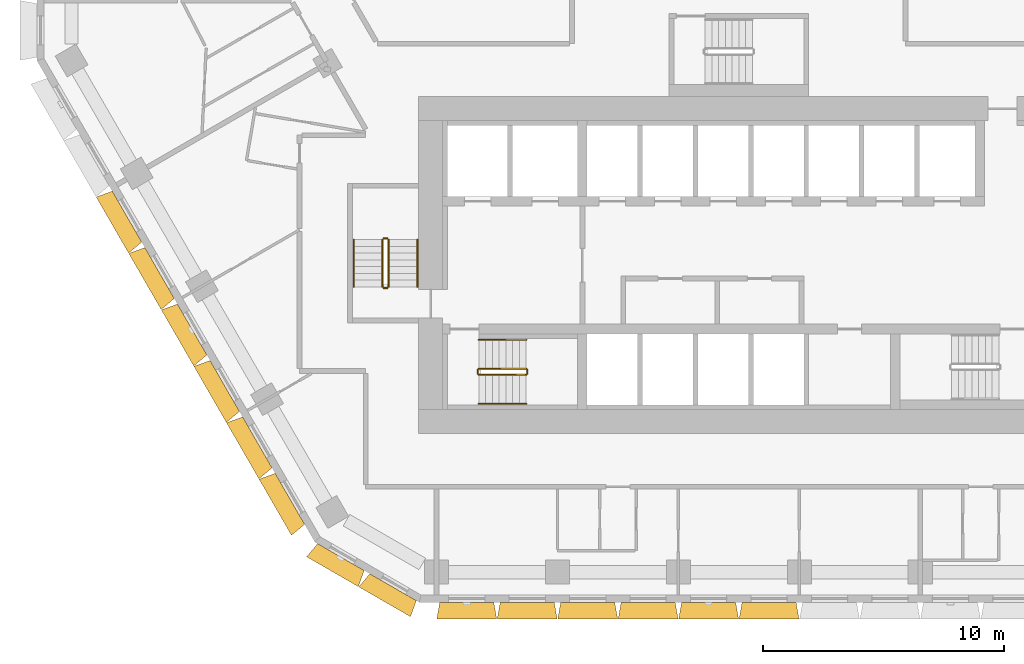
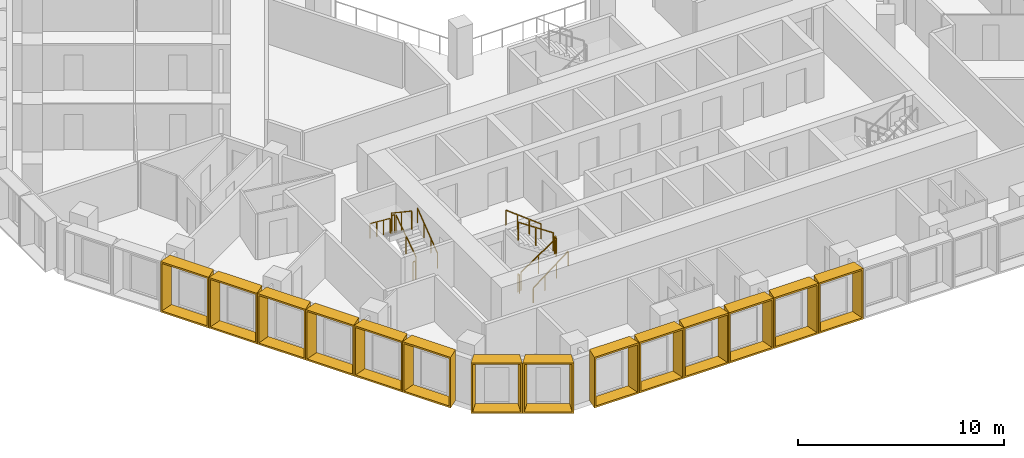
# One storey, part 15 of 18: 14 shading devices, 12 railings.
"""IFC4 building model written with IfcOpenShell, lengths in metres."""

from ifc_helpers import new_model, entity, si_unit, direction, frame, origin, origin_2d, place, context, subcontext, project, spatial, rectangle, extrude, source, transform, mapped, material, type_object, type_shapes, element, save


model = new_model("IFC4")

# Units and contexts
model_context = context("Model", 3, precision=1e-05, world=origin(), true_north=direction((0.0, 1.0)))
body_context = subcontext(model_context, "Body", "Model", "MODEL_VIEW")
ifc_project = project(units=[si_unit("LENGTHUNIT", "METRE"), si_unit("AREAUNIT", "SQUARE_METRE"), si_unit("VOLUMEUNIT", "CUBIC_METRE"), si_unit("PLANEANGLEUNIT", "RADIAN"), si_unit("MASSUNIT", "GRAM", prefix="KILO")], contexts=[model_context])

# Site, building, storey
site_placement = place(None, origin())
site = spatial("IfcSite", under=ifc_project, at=site_placement, CompositionType="ELEMENT")
building_placement = place(site_placement, origin())
building = spatial("IfcBuilding", under=site, at=building_placement, Name="Beryl Residences", CompositionType="ELEMENT")
storey_placement = place(building_placement, frame((0.0, 0.0, 99.0)))
storey = spatial("IfcBuildingStorey", under=building, at=storey_placement, Name="L30", CompositionType="ELEMENT", Elevation=99.0)

# Shading devices
ifc_material_1 = material(Name="Aluminium pale anodised", Category="aluminium")
shading_device_type_1 = type_object("IfcShadingDeviceType", Name="FR250-70A OUTER SKIN frame 700 mm deep, splay 10/10 deg, 2500 x 3000 mm cell", PredefinedType="USERDEFINED", material=ifc_material_1)
cartesian_point_1 = entity("IfcCartesianPoint", [-1.116455078125, 0.0])
cartesian_point_2 = entity("IfcCartesianPoint", [-1.03515625, 0.10009765625])
cartesian_point_3 = entity("IfcCartesianPoint", [-1.239990234375, 0.0])
cartesian_point_4 = entity("IfcCartesianPoint", [-1.15869140625, 0.10009765625])
shared_shape_1 = source(origin(), body_context, "Body", "SweptSolid", [
    entity("IfcExtrudedAreaSolidTapered", entity("IfcArbitraryProfileDefWithVoids", "AREA", None, entity("IfcPolyline", [cartesian_point_1, entity("IfcCartesianPoint", [1.116455078125, 0.0]), entity("IfcCartesianPoint", [1.116455078125, 3.0]), entity("IfcCartesianPoint", [-1.116455078125, 3.0]), cartesian_point_1]), [entity("IfcPolyline", [cartesian_point_2, entity("IfcCartesianPoint", [1.03515625, 0.10009765625]), entity("IfcCartesianPoint", [1.03515625, 2.89990234375]), entity("IfcCartesianPoint", [-1.03515625, 2.89990234375]), cartesian_point_2])]), entity("IfcAxis2Placement3D", entity("IfcCartesianPoint", [0.0, 0.0, 0.0]), entity("IfcDirection", [0.0, 1.0, 0.0]), entity("IfcDirection", [-1.0, 0.0, 0.0])), entity("IfcDirection", [0.0, 0.0, 1.0]), 0.699951171875, entity("IfcArbitraryProfileDefWithVoids", "AREA", None, entity("IfcPolyline", [cartesian_point_3, entity("IfcCartesianPoint", [1.239990234375, 0.0]), entity("IfcCartesianPoint", [1.239990234375, 3.0]), entity("IfcCartesianPoint", [-1.239990234375, 3.0]), cartesian_point_3]), [entity("IfcPolyline", [cartesian_point_4, entity("IfcCartesianPoint", [1.15869140625, 0.10009765625]), entity("IfcCartesianPoint", [1.15869140625, 2.89990234375]), entity("IfcCartesianPoint", [-1.15869140625, 2.89990234375]), cartesian_point_4])])),
])
type_shapes(shading_device_type_1, [shared_shape_1])
for number, where, z_axis, x_axis, name in (
    (1, (-16.527099609375, -24.125, 0.0), (0.0, 0.0, 1.0), (-0.866025403784, 0.5, 0.0), "FR250-70A frame L30 SW-S 1"),
    (2, (-14.361083984375, -25.375, 0.0), (0.0, 0.0, 1.0), (-0.866025403784, 0.5, 0.0), "FR250-70A frame L30 SW-S 2"),
):
    element("IfcShadingDevice", number, at=place(storey_placement, frame(where, z_axis=z_axis, x_axis=x_axis)), inside=storey, type_object=shading_device_type_1, Name=name, ObjectType="OUTER SKIN", PredefinedType="USERDEFINED", context=body_context, shape_type="MappedRepresentation", body=[
        mapped(shared_shape_1, transform((0.0, 0.0, 0.0))),
    ])
ifc_material_2 = material(Name="Aluminium pale anodised", Category="aluminium")
shading_device_type_2 = type_object("IfcShadingDeviceType", Name="FR251-70A OUTER SKIN frame 700 mm deep, splay 10/10 deg, 2510 x 3000 mm cell", PredefinedType="USERDEFINED", material=ifc_material_2)
cartesian_point_5 = entity("IfcCartesianPoint", [-1.12158203125, 0.0])
cartesian_point_6 = entity("IfcCartesianPoint", [-1.040283203125, 0.10009765625])
cartesian_point_7 = entity("IfcCartesianPoint", [-1.244873046875, 0.0])
cartesian_point_8 = entity("IfcCartesianPoint", [-1.16357421875, 0.10009765625])
shared_shape_2 = source(origin(), body_context, "Body", "SweptSolid", [
    entity("IfcExtrudedAreaSolidTapered", entity("IfcArbitraryProfileDefWithVoids", "AREA", None, entity("IfcPolyline", [cartesian_point_5, entity("IfcCartesianPoint", [1.12158203125, 0.0]), entity("IfcCartesianPoint", [1.12158203125, 3.0]), entity("IfcCartesianPoint", [-1.12158203125, 3.0]), cartesian_point_5]), [entity("IfcPolyline", [cartesian_point_6, entity("IfcCartesianPoint", [1.040283203125, 0.10009765625]), entity("IfcCartesianPoint", [1.040283203125, 2.89990234375]), entity("IfcCartesianPoint", [-1.040283203125, 2.89990234375]), cartesian_point_6])]), entity("IfcAxis2Placement3D", entity("IfcCartesianPoint", [0.0, 0.0, 0.0]), entity("IfcDirection", [0.0, 1.0, 0.0]), entity("IfcDirection", [-1.0, 0.0, 0.0])), entity("IfcDirection", [0.0, 0.0, 1.0]), 0.699951171875, entity("IfcArbitraryProfileDefWithVoids", "AREA", None, entity("IfcPolyline", [cartesian_point_7, entity("IfcCartesianPoint", [1.244873046875, 0.0]), entity("IfcCartesianPoint", [1.244873046875, 3.0]), entity("IfcCartesianPoint", [-1.244873046875, 3.0]), cartesian_point_7]), [entity("IfcPolyline", [cartesian_point_8, entity("IfcCartesianPoint", [1.16357421875, 0.10009765625]), entity("IfcCartesianPoint", [1.16357421875, 2.89990234375]), entity("IfcCartesianPoint", [-1.16357421875, 2.89990234375]), cartesian_point_8])])),
])
type_shapes(shading_device_type_2, [shared_shape_2])
for number, where, z_axis, x_axis, name in (
    (3, (-11.301025390625, -26.0, 0.0), (0.0, 0.0, 1.0), (-1.0, 0.0, 0.0), "FR251-70A frame L30 S 1"),
    (4, (-8.7900390625, -26.0, 0.0), (0.0, 0.0, 1.0), (-1.0, 0.0, 0.0), "FR251-70A frame L30 S 2"),
    (5, (-6.278076171875, -26.0, 0.0), (0.0, 0.0, 1.0), (-1.0, 0.0, 0.0), "FR251-70A frame L30 S 3"),
    (6, (-3.76708984375, -26.0, 0.0), (0.0, 0.0, 1.0), (-1.0, 0.0, 0.0), "FR251-70A frame L30 S 4"),
    (7, (-1.2548828125, -26.0, 0.0), (0.0, 0.0, 1.0), (-1.0, 0.0, 0.0), "FR251-70A frame L30 S 5"),
    (8, (1.256103515625, -26.0, 0.0), (0.0, 0.0, 1.0), (-1.0, 0.0, 0.0), "FR251-70A frame L30 S 6"),
):
    element("IfcShadingDevice", number, at=place(storey_placement, frame(where, z_axis=z_axis, x_axis=x_axis)), inside=storey, type_object=shading_device_type_2, Name=name, ObjectType="OUTER SKIN", PredefinedType="USERDEFINED", context=body_context, shape_type="MappedRepresentation", body=[
        mapped(shared_shape_2, transform((0.0, 0.0, 0.0))),
    ])
ifc_material_3 = material(Name="Aluminium pale anodised", Category="aluminium")
shading_device_type_3 = type_object("IfcShadingDeviceType", Name="FR271-70A OUTER SKIN frame 700 mm deep, splay 10/10 deg, 2710 x 3000 mm cell", PredefinedType="USERDEFINED", material=ifc_material_3)
cartesian_point_9 = entity("IfcCartesianPoint", [-1.221435546875, 0.0])
cartesian_point_10 = entity("IfcCartesianPoint", [-1.140380859375, 0.10009765625])
cartesian_point_11 = entity("IfcCartesianPoint", [-1.344970703125, 0.0])
cartesian_point_12 = entity("IfcCartesianPoint", [-1.263671875, 0.10009765625])
shared_shape_3 = source(origin(), body_context, "Body", "SweptSolid", [
    entity("IfcExtrudedAreaSolidTapered", entity("IfcArbitraryProfileDefWithVoids", "AREA", None, entity("IfcPolyline", [cartesian_point_9, entity("IfcCartesianPoint", [1.221435546875, 0.0]), entity("IfcCartesianPoint", [1.221435546875, 3.0]), entity("IfcCartesianPoint", [-1.221435546875, 3.0]), cartesian_point_9]), [entity("IfcPolyline", [cartesian_point_10, entity("IfcCartesianPoint", [1.140380859375, 0.10009765625]), entity("IfcCartesianPoint", [1.140380859375, 2.89990234375]), entity("IfcCartesianPoint", [-1.140380859375, 2.89990234375]), cartesian_point_10])]), entity("IfcAxis2Placement3D", entity("IfcCartesianPoint", [0.0, 0.0, 0.0]), entity("IfcDirection", [0.0, 1.0, 0.0]), entity("IfcDirection", [-1.0, 0.0, 0.0])), entity("IfcDirection", [0.0, 0.0, 1.0]), 0.699951171875, entity("IfcArbitraryProfileDefWithVoids", "AREA", None, entity("IfcPolyline", [cartesian_point_11, entity("IfcCartesianPoint", [1.344970703125, 0.0]), entity("IfcCartesianPoint", [1.344970703125, 3.0]), entity("IfcCartesianPoint", [-1.344970703125, 3.0]), cartesian_point_11]), [entity("IfcPolyline", [cartesian_point_12, entity("IfcCartesianPoint", [1.263671875, 0.10009765625]), entity("IfcCartesianPoint", [1.263671875, 2.89990234375]), entity("IfcCartesianPoint", [-1.263671875, 2.89990234375]), cartesian_point_12])])),
])
type_shapes(shading_device_type_3, [shared_shape_3])
for number, where, z_axis, x_axis, name in (
    (9, (-25.4130859375, -9.98388671875, 0.0), (0.0, 0.0, 1.0), (-0.5, 0.866025403784, 0.0), "FR271-70A frame L30 SW 3"),
    (10, (-24.06005859375, -12.327880859375, 0.0), (0.0, 0.0, 1.0), (-0.5, 0.866025403784, 0.0), "FR271-70A frame L30 SW 4"),
    (11, (-22.7060546875, -14.672119140625, 0.0), (0.0, 0.0, 1.0), (-0.5, 0.866025403784, 0.0), "FR271-70A frame L30 SW 5"),
    (12, (-21.35302734375, -17.01611328125, 0.0), (0.0, 0.0, 1.0), (-0.5, 0.866025403784, 0.0), "FR271-70A frame L30 SW 6"),
    (13, (-20.0, -19.360107421875, 0.0), (0.0, 0.0, 1.0), (-0.5, 0.866025403784, 0.0), "FR271-70A frame L30 SW 7"),
    (14, (-18.64697265625, -21.7041015625, 0.0), (0.0, 0.0, 1.0), (-0.5, 0.866025403784, 0.0), "FR271-70A frame L30 SW 8"),
):
    element("IfcShadingDevice", number, at=place(storey_placement, frame(where, z_axis=z_axis, x_axis=x_axis)), inside=storey, type_object=shading_device_type_3, Name=name, ObjectType="OUTER SKIN", PredefinedType="USERDEFINED", context=body_context, shape_type="MappedRepresentation", body=[
        mapped(shared_shape_3, transform((0.0, 0.0, 0.0))),
    ])

# Railings
ifc_material_4 = material(Name="Stainless steel balustrade with glass infill", Category="steel")
railing_type_1 = type_object("IfcRailingType", Name="SG1 stair guard 1100 mm", PredefinedType="GUARDRAIL", material=ifc_material_4)
railing_1_placement = place(storey_placement, frame((-10.800048828125, -16.550048828125, 0.1875)))
element("IfcRailing", 15, at=railing_1_placement, inside=storey, type_object=railing_type_1, Name="L30 ST-1 stair guard 1", PredefinedType="GUARDRAIL", context=body_context, shape_type="SweptSolid", body=[
    extrude(rectangle(XDim=0.048095703125, YDim=0.048095703125, at=origin_2d()), frame((0.0, 0.0, 1.076171875), z_axis=(0.830902050051, 0.0, 0.556418712142), x_axis=(0.0, 1.0, 0.0)), (0.0, 0.0, 1.0), 2.35888671875),
    extrude(rectangle(XDim=0.0419921875, YDim=0.0419921875, at=origin_2d()), origin(), (0.0, 0.0, 1.0), 1.052001953125),
    extrude(rectangle(XDim=0.0419921875, YDim=0.0419921875, at=origin_2d()), frame((0.97998046875, 0.0, 0.65625)), (0.0, 0.0, 1.0), 1.052001953125),
    extrude(rectangle(XDim=0.0419921875, YDim=0.0419921875, at=origin_2d()), frame((1.9599609375, 0.0, 1.3125)), (0.0, 0.0, 1.0), 1.052001953125),
])
railing_2_placement = place(storey_placement, frame((-8.7900390625, -16.5, 1.5)))
element("IfcRailing", 16, at=railing_2_placement, inside=storey, type_object=railing_type_1, Name="L30 ST-1 stair guard 2", PredefinedType="GUARDRAIL", context=body_context, shape_type="SweptSolid", body=[
    extrude(rectangle(XDim=0.048095703125, YDim=0.048095703125, at=origin_2d()), frame((0.0, 0.0, 1.076171875), z_axis=(0.0, 1.0, 0.0), x_axis=(-1.0, 0.0, 0.0)), (0.0, 0.0, 1.0), 0.14990234375),
    extrude(rectangle(XDim=0.0419921875, YDim=0.0419921875, at=origin_2d()), origin(), (0.0, 0.0, 1.0), 1.052001953125),
    extrude(rectangle(XDim=0.0419921875, YDim=0.0419921875, at=origin_2d()), frame((0.0, 0.14990234375, 0.0)), (0.0, 0.0, 1.0), 1.052001953125),
])
railing_3_placement = place(storey_placement, frame((-8.840087890625, -16.300048828125, 1.6875)))
element("IfcRailing", 17, at=railing_3_placement, inside=storey, type_object=railing_type_1, Name="L30 ST-1 stair guard 3", PredefinedType="GUARDRAIL", context=body_context, shape_type="SweptSolid", body=[
    extrude(rectangle(XDim=0.048095703125, YDim=0.048095703125, at=origin_2d()), frame((0.0, 0.0, 1.076171875), z_axis=(-0.830902050051, 0.0, 0.556418712142), x_axis=(0.0, -1.0, 0.0)), (0.0, 0.0, 1.0), 2.35888671875),
    extrude(rectangle(XDim=0.0419921875, YDim=0.0419921875, at=origin_2d()), origin(), (0.0, 0.0, 1.0), 1.052001953125),
    extrude(rectangle(XDim=0.0419921875, YDim=0.0419921875, at=origin_2d()), frame((-0.97998046875, 0.0, 0.65625)), (0.0, 0.0, 1.0), 1.052001953125),
    extrude(rectangle(XDim=0.0419921875, YDim=0.0419921875, at=origin_2d()), frame((-1.9599609375, 0.0, 1.3125)), (0.0, 0.0, 1.0), 1.052001953125),
])
railing_4_placement = place(storey_placement, frame((-10.85009765625, -16.5, 0.0)))
element("IfcRailing", 18, at=railing_4_placement, inside=storey, type_object=railing_type_1, Name="L30 ST-1 stair guard 4", PredefinedType="GUARDRAIL", context=body_context, shape_type="SweptSolid", body=[
    extrude(rectangle(XDim=0.048095703125, YDim=0.048095703125, at=origin_2d()), frame((0.0, 0.0, 1.076171875), z_axis=(0.0, 1.0, 0.0), x_axis=(-1.0, 0.0, 0.0)), (0.0, 0.0, 1.0), 0.14990234375),
    extrude(rectangle(XDim=0.0419921875, YDim=0.0419921875, at=origin_2d()), origin(), (0.0, 0.0, 1.0), 1.052001953125),
    extrude(rectangle(XDim=0.0419921875, YDim=0.0419921875, at=origin_2d()), frame((0.0, 0.14990234375, 0.0)), (0.0, 0.0, 1.0), 1.052001953125),
])
railing_5_placement = place(storey_placement, frame((-14.550048828125, -12.89990234375, 0.1875)))
element("IfcRailing", 19, at=railing_5_placement, inside=storey, type_object=railing_type_1, Name="L30 ST-2 stair guard 1", PredefinedType="GUARDRAIL", context=body_context, shape_type="SweptSolid", body=[
    extrude(rectangle(XDim=0.048095703125, YDim=0.048095703125, at=origin_2d()), frame((0.0, 0.0, 1.076171875), z_axis=(0.0, 0.830902050051, 0.556418712142), x_axis=(-1.0, 0.0, 0.0)), (0.0, 0.0, 1.0), 2.35888671875),
    extrude(rectangle(XDim=0.0419921875, YDim=0.0419921875, at=origin_2d()), origin(), (0.0, 0.0, 1.0), 1.052001953125),
    extrude(rectangle(XDim=0.0419921875, YDim=0.0419921875, at=origin_2d()), frame((0.0, 0.97998046875, 0.65625)), (0.0, 0.0, 1.0), 1.052001953125),
    extrude(rectangle(XDim=0.0419921875, YDim=0.0419921875, at=origin_2d()), frame((0.0, 1.9599609375, 1.3125)), (0.0, 0.0, 1.0), 1.052001953125),
])
railing_6_placement = place(storey_placement, frame((-14.60009765625, -10.889892578125, 1.5)))
element("IfcRailing", 20, at=railing_6_placement, inside=storey, type_object=railing_type_1, Name="L30 ST-2 stair guard 2", PredefinedType="GUARDRAIL", context=body_context, shape_type="SweptSolid", body=[
    extrude(rectangle(XDim=0.048095703125, YDim=0.048095703125, at=origin_2d()), frame((0.0, 0.0, 1.076171875), z_axis=(-1.0, 0.0, 0.0), x_axis=(0.0, -1.0, 0.0)), (0.0, 0.0, 1.0), 0.14990234375),
    extrude(rectangle(XDim=0.0419921875, YDim=0.0419921875, at=origin_2d()), origin(), (0.0, 0.0, 1.0), 1.052001953125),
    extrude(rectangle(XDim=0.0419921875, YDim=0.0419921875, at=origin_2d()), frame((-0.14990234375, 0.0, 0.0)), (0.0, 0.0, 1.0), 1.052001953125),
])
railing_7_placement = place(storey_placement, frame((-14.800048828125, -10.93994140625, 1.6875)))
element("IfcRailing", 21, at=railing_7_placement, inside=storey, type_object=railing_type_1, Name="L30 ST-2 stair guard 3", PredefinedType="GUARDRAIL", context=body_context, shape_type="SweptSolid", body=[
    extrude(rectangle(XDim=0.048095703125, YDim=0.048095703125, at=origin_2d()), frame((0.0, 0.0, 1.076171875), z_axis=(0.0, -0.830902050051, 0.556418712142), x_axis=(1.0, 0.0, 0.0)), (0.0, 0.0, 1.0), 2.35888671875),
    extrude(rectangle(XDim=0.0419921875, YDim=0.0419921875, at=origin_2d()), origin(), (0.0, 0.0, 1.0), 1.052001953125),
    extrude(rectangle(XDim=0.0419921875, YDim=0.0419921875, at=origin_2d()), frame((0.0, -0.97998046875, 0.65625)), (0.0, 0.0, 1.0), 1.052001953125),
    extrude(rectangle(XDim=0.0419921875, YDim=0.0419921875, at=origin_2d()), frame((0.0, -1.9599609375, 1.3125)), (0.0, 0.0, 1.0), 1.052001953125),
])
railing_8_placement = place(storey_placement, frame((-14.60009765625, -12.949951171875, 0.0)))
element("IfcRailing", 22, at=railing_8_placement, inside=storey, type_object=railing_type_1, Name="L30 ST-2 stair guard 4", PredefinedType="GUARDRAIL", context=body_context, shape_type="SweptSolid", body=[
    extrude(rectangle(XDim=0.048095703125, YDim=0.048095703125, at=origin_2d()), frame((0.0, 0.0, 1.076171875), z_axis=(-1.0, 0.0, 0.0), x_axis=(0.0, -1.0, 0.0)), (0.0, 0.0, 1.0), 0.14990234375),
    extrude(rectangle(XDim=0.0419921875, YDim=0.0419921875, at=origin_2d()), origin(), (0.0, 0.0, 1.0), 1.052001953125),
    extrude(rectangle(XDim=0.0419921875, YDim=0.0419921875, at=origin_2d()), frame((-0.14990234375, 0.0, 0.0)), (0.0, 0.0, 1.0), 1.052001953125),
])
ifc_material_5 = material(Name="Stainless steel handrail", Category="steel")
railing_type_2 = type_object("IfcRailingType", Name="SRL1 stair handrail 900 mm", PredefinedType="HANDRAIL", material=ifc_material_5)
railing_9_placement = place(storey_placement, frame((-10.800048828125, -17.75, 0.1875)))
element("IfcRailing", 23, at=railing_9_placement, inside=storey, type_object=railing_type_2, Name="L30 ST-1 stair handrail 1", PredefinedType="HANDRAIL", context=body_context, shape_type="SweptSolid", body=[
    extrude(rectangle(XDim=0.048095703125, YDim=0.048095703125, at=origin_2d()), frame((0.0, 0.0, 0.8759765625), z_axis=(0.794121922505, 0.0, 0.607758481798), x_axis=(0.0, 1.0, 0.0)), (0.0, 0.0, 1.0), 2.468017578125),
    extrude(rectangle(XDim=0.0419921875, YDim=0.0419921875, at=origin_2d()), origin(), (0.0, 0.0, 1.0), 0.851806640625),
    extrude(rectangle(XDim=0.0419921875, YDim=0.0419921875, at=origin_2d()), frame((0.6533203125, 0.0, 0.5)), (0.0, 0.0, 1.0), 0.851806640625),
    extrude(rectangle(XDim=0.0419921875, YDim=0.0419921875, at=origin_2d()), frame((1.306640625, 0.0, 1.0)), (0.0, 0.0, 1.0), 0.851806640625),
    extrude(rectangle(XDim=0.0419921875, YDim=0.0419921875, at=origin_2d()), frame((1.9599609375, 0.0, 1.5)), (0.0, 0.0, 1.0), 0.851806640625),
])
railing_10_placement = place(storey_placement, frame((-8.840087890625, -15.10009765625, 1.6875)))
element("IfcRailing", 24, at=railing_10_placement, inside=storey, type_object=railing_type_2, Name="L30 ST-1 stair handrail 2", PredefinedType="HANDRAIL", context=body_context, shape_type="SweptSolid", body=[
    extrude(rectangle(XDim=0.048095703125, YDim=0.048095703125, at=origin_2d()), frame((0.0, 0.0, 0.8759765625), z_axis=(-0.794121922505, 0.0, 0.607758481798), x_axis=(0.0, -1.0, 0.0)), (0.0, 0.0, 1.0), 2.468017578125),
    extrude(rectangle(XDim=0.0419921875, YDim=0.0419921875, at=origin_2d()), origin(), (0.0, 0.0, 1.0), 0.851806640625),
    extrude(rectangle(XDim=0.0419921875, YDim=0.0419921875, at=origin_2d()), frame((-0.6533203125, 0.0, 0.5)), (0.0, 0.0, 1.0), 0.851806640625),
    extrude(rectangle(XDim=0.0419921875, YDim=0.0419921875, at=origin_2d()), frame((-1.306640625, 0.0, 1.0)), (0.0, 0.0, 1.0), 0.851806640625),
    extrude(rectangle(XDim=0.0419921875, YDim=0.0419921875, at=origin_2d()), frame((-1.9599609375, 0.0, 1.5)), (0.0, 0.0, 1.0), 0.851806640625),
])
railing_11_placement = place(storey_placement, frame((-13.35009765625, -12.89990234375, 0.1875)))
element("IfcRailing", 25, at=railing_11_placement, inside=storey, type_object=railing_type_2, Name="L30 ST-2 stair handrail 1", PredefinedType="HANDRAIL", context=body_context, shape_type="SweptSolid", body=[
    extrude(rectangle(XDim=0.048095703125, YDim=0.048095703125, at=origin_2d()), frame((0.0, 0.0, 0.8759765625), z_axis=(0.0, 0.794121922505, 0.607758481798), x_axis=(-1.0, 0.0, 0.0)), (0.0, 0.0, 1.0), 2.468017578125),
    extrude(rectangle(XDim=0.0419921875, YDim=0.0419921875, at=origin_2d()), origin(), (0.0, 0.0, 1.0), 0.851806640625),
    extrude(rectangle(XDim=0.0419921875, YDim=0.0419921875, at=origin_2d()), frame((0.0, 0.6533203125, 0.5)), (0.0, 0.0, 1.0), 0.851806640625),
    extrude(rectangle(XDim=0.0419921875, YDim=0.0419921875, at=origin_2d()), frame((0.0, 1.306640625, 1.0)), (0.0, 0.0, 1.0), 0.851806640625),
    extrude(rectangle(XDim=0.0419921875, YDim=0.0419921875, at=origin_2d()), frame((0.0, 1.9599609375, 1.5)), (0.0, 0.0, 1.0), 0.851806640625),
])
railing_12_placement = place(storey_placement, frame((-16.0, -10.93994140625, 1.6875)))
element("IfcRailing", 26, at=railing_12_placement, inside=storey, type_object=railing_type_2, Name="L30 ST-2 stair handrail 2", PredefinedType="HANDRAIL", context=body_context, shape_type="SweptSolid", body=[
    extrude(rectangle(XDim=0.048095703125, YDim=0.048095703125, at=origin_2d()), frame((0.0, 0.0, 0.8759765625), z_axis=(0.0, -0.794121922505, 0.607758481798), x_axis=(1.0, 0.0, 0.0)), (0.0, 0.0, 1.0), 2.468017578125),
    extrude(rectangle(XDim=0.0419921875, YDim=0.0419921875, at=origin_2d()), origin(), (0.0, 0.0, 1.0), 0.851806640625),
    extrude(rectangle(XDim=0.0419921875, YDim=0.0419921875, at=origin_2d()), frame((0.0, -0.6533203125, 0.5)), (0.0, 0.0, 1.0), 0.851806640625),
    extrude(rectangle(XDim=0.0419921875, YDim=0.0419921875, at=origin_2d()), frame((0.0, -1.306640625, 1.0)), (0.0, 0.0, 1.0), 0.851806640625),
    extrude(rectangle(XDim=0.0419921875, YDim=0.0419921875, at=origin_2d()), frame((0.0, -1.9599609375, 1.5)), (0.0, 0.0, 1.0), 0.851806640625),
])

save(model, "model.ifc")
